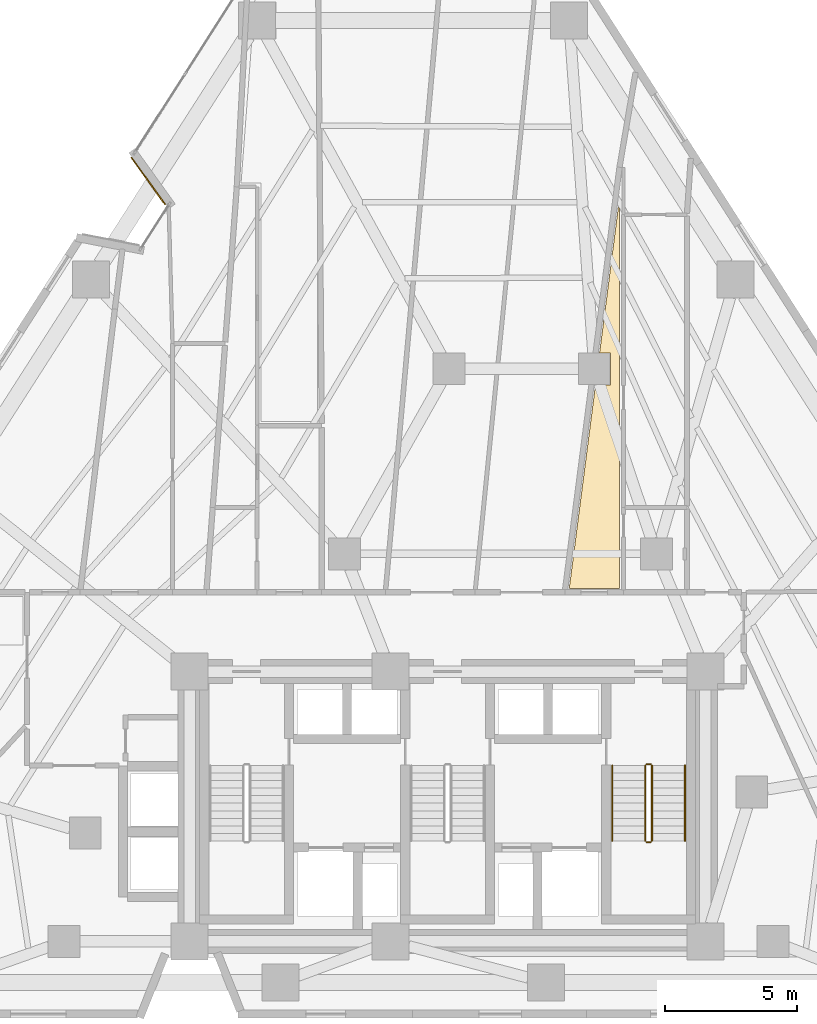
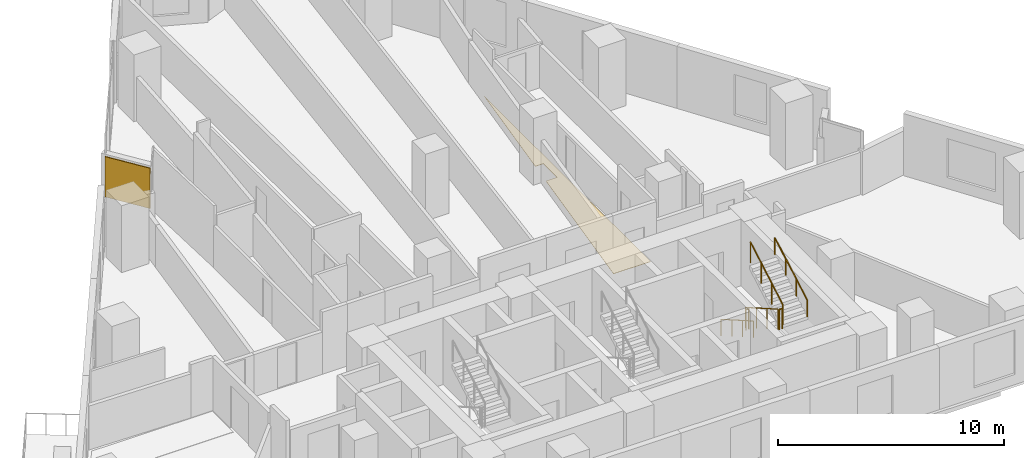
# One storey, part 13 of 14: 6 railings, 2 coverings.
"""IFC4 building model written with IfcOpenShell, lengths in metres."""

from ifc_helpers import new_model, si_unit, direction, frame, origin, origin_2d, place, context, subcontext, project, spatial, polyline, rectangle, circle, outline, extrude, material, layer, layer_set, type_object, element, save


model = new_model("IFC4")

# Units and contexts
model_context = context("Model", 3, precision=1e-05, world=origin(), true_north=direction((0.0, 1.0)))
body_context = subcontext(model_context, "Body", "Model", "MODEL_VIEW")
ifc_project = project(units=[si_unit("LENGTHUNIT", "METRE"), si_unit("AREAUNIT", "SQUARE_METRE"), si_unit("VOLUMEUNIT", "CUBIC_METRE"), si_unit("PLANEANGLEUNIT", "RADIAN"), si_unit("MASSUNIT", "GRAM", prefix="KILO")], contexts=[model_context])

# Site, building, storey
site_placement = place(None, origin())
site = spatial("IfcSite", under=ifc_project, at=site_placement, CompositionType="ELEMENT")
building_placement = place(site_placement, origin())
building = spatial("IfcBuilding", under=site, at=building_placement, Name="Almagre Mirador Tower", CompositionType="ELEMENT")
storey_placement = place(building_placement, frame((0.0, 0.0, 46.199951171875)))
storey = spatial("IfcBuildingStorey", under=building, at=storey_placement, Name="L10", CompositionType="ELEMENT", Elevation=46.199951171875)

# Coverings
ifc_material_1 = material(Name="Almagre terracotta architectural cladding", Category="masonry")
ifc_layer_1 = layer(ifc_material_1, 0.044921875)
ifc_layer_set_1 = layer_set([ifc_layer_1], Name="Almagre terracotta architectural cladding")
covering_type_1 = type_object("IfcCoveringType", Name="COV-CLAD-ALMAGRE", PredefinedType="CLADDING", material=ifc_layer_set_1)
covering_1_placement = place(storey_placement, frame((25.9853515625, 33.29833984375, 0.10009765625), z_axis=(0.0, 0.0, 1.0), x_axis=(-0.583002488864, 0.812470367446, 0.0)))
element("IfcCovering", 1, at=covering_1_placement, inside=storey, type_object=covering_type_1, Name="L10 almagre terracotta pier cladding", PredefinedType="CLADDING", context=body_context, shape_type="SweptSolid", body=[
    extrude(rectangle(XDim=2.194091796875, YDim=0.044921875, at=origin_2d()), origin(), (0.0, 0.0, 1.0), 2.175048828125),
])
ifc_material_2 = material(Name="Engineered white oak flooring", Category="wood")
ifc_layer_2 = layer(ifc_material_2, 0.01806640625)
ifc_layer_set_2 = layer_set([ifc_layer_2], Name="Engineered white oak flooring")
covering_type_2 = type_object("IfcCoveringType", Name="COV-FLR-OAK-18", PredefinedType="FLOORING", material=ifc_layer_set_2)
covering_2_placement = place(storey_placement, origin())
element("IfcCovering", 2, at=covering_2_placement, inside=storey, type_object=covering_type_2, Name="L10 Unit L10-F Living and Dining Room finish flooring", PredefinedType="FLOORING", context=body_context, shape_type="SweptSolid", body=[
    extrude(outline(polyline([(42.89208984375, 25.594970703125), (43.455078125, 25.594970703125), (43.455078125, 26.804931640625), (43.048095703125, 26.804931640625), (43.800048828125, 32.64599609375), (43.800048828125, 17.89990234375), (41.90087890625, 17.89990234375), (42.89208984375, 25.594970703125)])), origin(), (0.0, 0.0, 1.0), 0.01806640625),
])

# Railings
ifc_material_3 = material(Name="Painted galvanized steel", Category="steel")
railing_type_1 = type_object("IfcRailingType", Name="RLG-GRD-1100", PredefinedType="GUARDRAIL", material=ifc_material_3)
railing_1_placement = place(storey_placement, frame((44.77490234375, 11.199951171875, 0.16357421875)))
element("IfcRailing", 3, at=railing_1_placement, inside=storey, type_object=railing_type_1, Name="L10 ST-3 stair guard 1", PredefinedType="GUARDRAIL", context=body_context, shape_type="SweptSolid", body=[
    extrude(circle(Radius=0.02392578125, at=origin_2d()), frame((0.0, 0.0, 1.09619140625), z_axis=(0.0, -0.867194282975, 0.497969954491), x_axis=(1.0, 0.0, 0.0)), (0.0, 0.0, 1.0), 3.286376953125),
    extrude(circle(Radius=0.02099609375, at=origin_2d()), origin(), (0.0, 0.0, 1.0), 1.072021484375),
    extrude(circle(Radius=0.02099609375, at=origin_2d()), frame((0.0, -0.949951171875, 0.54541015625)), (0.0, 0.0, 1.0), 1.072021484375),
    extrude(circle(Radius=0.02099609375, at=origin_2d()), frame((0.0, -1.89990234375, 1.091064453125)), (0.0, 0.0, 1.0), 1.072021484375),
    extrude(circle(Radius=0.02099609375, at=origin_2d()), frame((0.0, -2.849853515625, 1.636474609375)), (0.0, 0.0, 1.0), 1.072021484375),
])
railing_2_placement = place(storey_placement, frame((44.824951171875, 8.300048828125, 1.800048828125)))
element("IfcRailing", 4, at=railing_2_placement, inside=storey, type_object=railing_type_1, Name="L10 ST-3 stair guard 2", PredefinedType="GUARDRAIL", context=body_context, shape_type="SweptSolid", body=[
    extrude(circle(Radius=0.02392578125, at=origin_2d()), frame((0.0, 0.0, 1.09619140625), z_axis=(1.0, 0.0, 0.0), x_axis=(0.0, 1.0, 0.0)), (0.0, 0.0, 1.0), 0.150146484375),
    extrude(circle(Radius=0.02099609375, at=origin_2d()), origin(), (0.0, 0.0, 1.0), 1.072021484375),
    extrude(circle(Radius=0.02099609375, at=origin_2d()), frame((0.150146484375, 0.0, 0.0)), (0.0, 0.0, 1.0), 1.072021484375),
])
railing_3_placement = place(storey_placement, frame((45.02490234375, 8.35009765625, 1.963623046875)))
element("IfcRailing", 5, at=railing_3_placement, inside=storey, type_object=railing_type_1, Name="L10 ST-3 stair guard 3", PredefinedType="GUARDRAIL", context=body_context, shape_type="SweptSolid", body=[
    extrude(circle(Radius=0.02392578125, at=origin_2d()), frame((0.0, 0.0, 1.09619140625), z_axis=(0.0, 0.867194282975, 0.497969954491), x_axis=(-1.0, 0.0, 0.0)), (0.0, 0.0, 1.0), 3.286376953125),
    extrude(circle(Radius=0.02099609375, at=origin_2d()), origin(), (0.0, 0.0, 1.0), 1.072021484375),
    extrude(circle(Radius=0.02099609375, at=origin_2d()), frame((0.0, 0.949951171875, 0.54541015625)), (0.0, 0.0, 1.0), 1.072021484375),
    extrude(circle(Radius=0.02099609375, at=origin_2d()), frame((0.0, 1.89990234375, 1.091064453125)), (0.0, 0.0, 1.0), 1.072021484375),
    extrude(circle(Radius=0.02099609375, at=origin_2d()), frame((0.0, 2.849853515625, 1.636474609375)), (0.0, 0.0, 1.0), 1.072021484375),
])
railing_4_placement = place(storey_placement, frame((44.824951171875, 11.25, 0.0)))
element("IfcRailing", 6, at=railing_4_placement, inside=storey, type_object=railing_type_1, Name="L10 ST-3 stair guard 4", PredefinedType="GUARDRAIL", context=body_context, shape_type="SweptSolid", body=[
    extrude(circle(Radius=0.02392578125, at=origin_2d()), frame((0.0, 0.0, 1.09619140625), z_axis=(1.0, 0.0, 0.0), x_axis=(0.0, 1.0, 0.0)), (0.0, 0.0, 1.0), 0.150146484375),
    extrude(circle(Radius=0.02099609375, at=origin_2d()), origin(), (0.0, 0.0, 1.0), 1.072021484375),
    extrude(circle(Radius=0.02099609375, at=origin_2d()), frame((0.150146484375, 0.0, 0.0)), (0.0, 0.0, 1.0), 1.072021484375),
])
ifc_material_4 = material(Name="Brushed stainless steel", Category="steel")
railing_type_2 = type_object("IfcRailingType", Name="RLG-HND-915", PredefinedType="HANDRAIL", material=ifc_material_4)
railing_5_placement = place(storey_placement, frame((43.52490234375, 11.199951171875, 0.16357421875)))
element("IfcRailing", 7, at=railing_5_placement, inside=storey, type_object=railing_type_2, Name="L10 ST-3 stair handrail 1", PredefinedType="HANDRAIL", context=body_context, shape_type="SweptSolid", body=[
    extrude(circle(Radius=0.02392578125, at=origin_2d()), frame((0.0, 0.0, 0.89111328125), z_axis=(0.0, -0.867194282975, 0.497969954491), x_axis=(1.0, 0.0, 0.0)), (0.0, 0.0, 1.0), 3.286376953125),
    extrude(circle(Radius=0.02099609375, at=origin_2d()), origin(), (0.0, 0.0, 1.0), 0.866943359375),
    extrude(circle(Radius=0.02099609375, at=origin_2d()), frame((0.0, -0.949951171875, 0.54541015625)), (0.0, 0.0, 1.0), 0.866943359375),
    extrude(circle(Radius=0.02099609375, at=origin_2d()), frame((0.0, -1.89990234375, 1.091064453125)), (0.0, 0.0, 1.0), 0.866943359375),
    extrude(circle(Radius=0.02099609375, at=origin_2d()), frame((0.0, -2.849853515625, 1.636474609375)), (0.0, 0.0, 1.0), 0.866943359375),
])
railing_6_placement = place(storey_placement, frame((46.27490234375, 8.35009765625, 1.963623046875)))
element("IfcRailing", 8, at=railing_6_placement, inside=storey, type_object=railing_type_2, Name="L10 ST-3 stair handrail 2", PredefinedType="HANDRAIL", context=body_context, shape_type="SweptSolid", body=[
    extrude(circle(Radius=0.02392578125, at=origin_2d()), frame((0.0, 0.0, 0.89111328125), z_axis=(0.0, 0.867194282975, 0.497969954491), x_axis=(-1.0, 0.0, 0.0)), (0.0, 0.0, 1.0), 3.286376953125),
    extrude(circle(Radius=0.02099609375, at=origin_2d()), origin(), (0.0, 0.0, 1.0), 0.866943359375),
    extrude(circle(Radius=0.02099609375, at=origin_2d()), frame((0.0, 0.949951171875, 0.54541015625)), (0.0, 0.0, 1.0), 0.866943359375),
    extrude(circle(Radius=0.02099609375, at=origin_2d()), frame((0.0, 1.89990234375, 1.091064453125)), (0.0, 0.0, 1.0), 0.866943359375),
    extrude(circle(Radius=0.02099609375, at=origin_2d()), frame((0.0, 2.849853515625, 1.636474609375)), (0.0, 0.0, 1.0), 0.866943359375),
])

save(model, "model.ifc")
